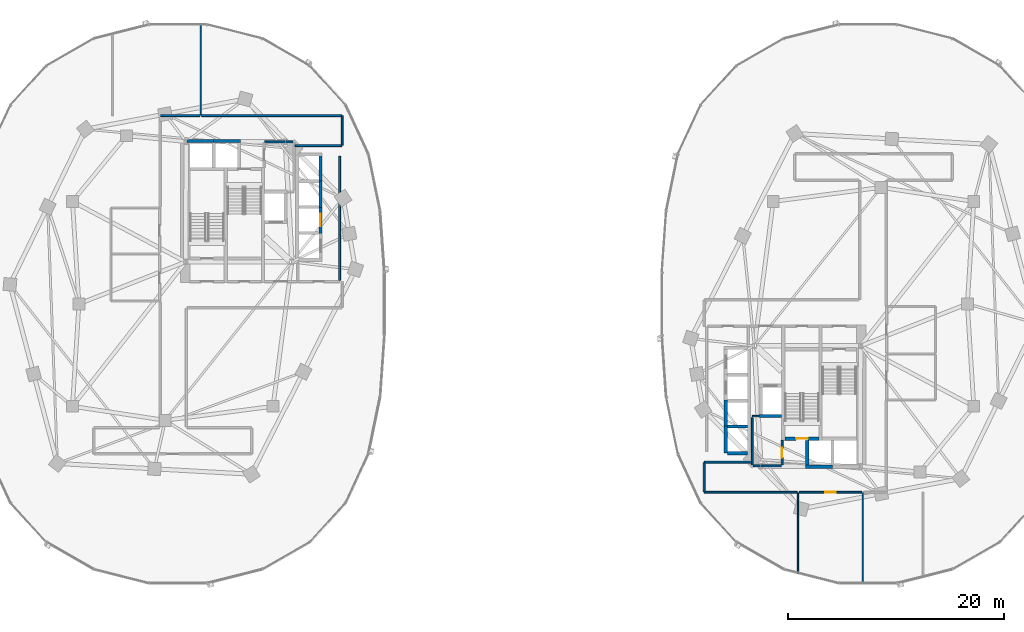
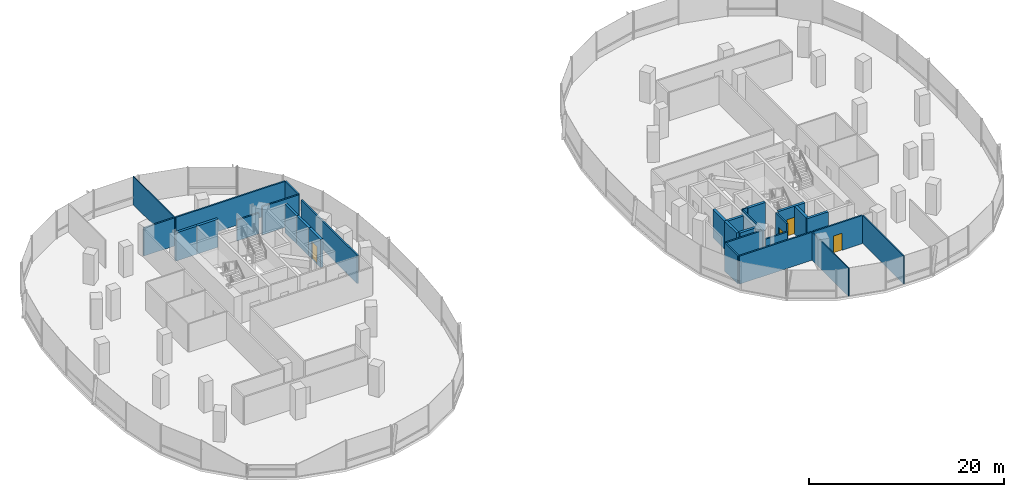
# One storey, part 12 of 21: 30 walls, 4 doors, 4 openings.
"""IFC4 building model written with IfcOpenShell, lengths in metres."""

from ifc_helpers import new_model, si_unit, direction, frame, frame_2d, origin, place, context, subcontext, project, spatial, rectangle, extrude, material, layer, layer_set, type_object, element, fill, save


model = new_model("IFC4")

# Units and contexts
model_context = context("Model", 3, precision=1e-05, world=origin(), true_north=direction((0.0, 1.0)))
body_context = subcontext(model_context, "Body", "Model", "MODEL_VIEW")
ifc_project = project(units=[si_unit("LENGTHUNIT", "METRE"), si_unit("AREAUNIT", "SQUARE_METRE"), si_unit("VOLUMEUNIT", "CUBIC_METRE"), si_unit("PLANEANGLEUNIT", "RADIAN"), si_unit("MASSUNIT", "GRAM", prefix="KILO"), si_unit("THERMODYNAMICTEMPERATUREUNIT", "KELVIN"), si_unit("POWERUNIT", "WATT")], contexts=[model_context])

# Site, building, storey
site_placement = place(None, origin())
site = spatial("IfcSite", under=ifc_project, at=site_placement, CompositionType="ELEMENT")
building_placement = place(site_placement, origin())
building = spatial("IfcBuilding", under=site, at=building_placement, Name="Cundina Bronze Exchange", CompositionType="ELEMENT")
storey_placement = place(building_placement, frame((0.0, 0.0, 73.39990234375)))
storey = spatial("IfcBuildingStorey", under=building, at=storey_placement, Name="L18", CompositionType="ELEMENT", Elevation=73.39990234375)

# Walls
ifc_material_1 = material(Name="Gypsum Fireboard Partition EI120")
ifc_layer_1 = layer(ifc_material_1, 0.179931640625, Name="Gypsum Fireboard Partition EI120")
ifc_layer_set_1 = layer_set([ifc_layer_1], Name="Gypsum Fireboard Partition EI120")
wall_type_1 = type_object("IfcWallType", Name="WL-COR-180", PredefinedType="PARTITIONING", material=ifc_layer_set_1)
wall_1_placement = place(storey_placement, frame((-17.02001953125, 2.169921875, 0.0), z_axis=(0.0, 0.0, 1.0), x_axis=(0.0, 1.0, 0.0)))
element("IfcWall", 1, at=wall_1_placement, inside=storey, type_object=wall_type_1, Name="L18 Interior Partition 001", PredefinedType="PARTITIONING", context=body_context, shape_type="SweptSolid", body=[
    extrude(rectangle(XDim=11.510009765625, YDim=0.179931640625, at=frame_2d((5.7548828125, 0.0))), origin(), (0.0, 0.0, 1.0), 3.52001953125),
])
wall_2_placement = place(storey_placement, frame((-23.9599609375, 15.030029296875, 0.0), z_axis=(0.0, 0.0, 1.0), x_axis=(1.0, 0.0, 0.0)))
element("IfcWall", 2, at=wall_2_placement, inside=storey, type_object=wall_type_1, Name="L18 Interior Partition 005", PredefinedType="PARTITIONING", context=body_context, shape_type="SweptSolid", body=[
    extrude(rectangle(XDim=2.60986328125, YDim=0.179931640625, at=frame_2d((1.304931640625, 0.0))), origin(), (0.0, 0.0, 1.0), 2.593017578125),
])
wall_3_placement = place(storey_placement, frame((-16.821533203125, 17.469970703125, 0.0), z_axis=(0.0, 0.0, 1.0), x_axis=(-1.0, 0.0, 0.0)))
element("IfcWall", 3, at=wall_3_placement, inside=storey, type_object=wall_type_1, Name="L18 Interior Partition 019", PredefinedType="PARTITIONING", context=body_context, shape_type="SweptSolid", body=[
    extrude(rectangle(XDim=12.988525390625, YDim=0.179931640625, at=frame_2d((6.494140625, 0.0))), origin(), (0.0, 0.0, 1.0), 3.52001953125),
])
wall_4_placement = place(storey_placement, frame((-21.178466796875, 14.679931640625, 0.0), z_axis=(0.0, 0.0, 1.0), x_axis=(1.0, 0.0, 0.0)))
element("IfcWall", 4, at=wall_4_placement, inside=storey, type_object=wall_type_1, Name="L18 Interior Partition 025", PredefinedType="PARTITIONING", context=body_context, shape_type="SweptSolid", body=[
    extrude(rectangle(XDim=4.35693359375, YDim=0.179931640625, at=frame_2d((2.178466796875, 0.0))), origin(), (0.0, 0.0, 1.0), 3.52001953125),
])
wall_5_placement = place(storey_placement, frame((-29.989990234375, 17.469970703125, 0.0), z_axis=(0.0, 0.0, 1.0), x_axis=(-1.0, 0.0, 0.0)))
element("IfcWall", 5, at=wall_5_placement, inside=storey, type_object=wall_type_1, Name="L18 Interior Partition 026", PredefinedType="PARTITIONING", context=body_context, shape_type="SweptSolid", body=[
    extrude(rectangle(XDim=3.638427734375, YDim=0.179931640625, at=frame_2d((1.8193359375, 0.0))), origin(), (0.0, 0.0, 1.0), 3.52001953125),
])
wall_6_placement = place(storey_placement, frame((-16.780029296875, 14.721435546875, 0.0), z_axis=(0.0, 0.0, 1.0), x_axis=(0.0, 1.0, 0.0)))
element("IfcWall", 6, at=wall_6_placement, inside=storey, type_object=wall_type_1, Name="L18 Interior Partition 027", PredefinedType="PARTITIONING", context=body_context, shape_type="SweptSolid", body=[
    extrude(rectangle(XDim=2.70703125, YDim=0.179931640625, at=frame_2d((1.353515625, 0.0))), origin(), (0.0, 0.0, 1.0), 3.52001953125),
])
wall_7_placement = place(storey_placement, frame((21.25, -14.929931640625, 0.0), z_axis=(0.0, 0.0, 1.0), x_axis=(0.0, 1.0, 0.0)))
element("IfcWall", 7, at=wall_7_placement, inside=storey, type_object=wall_type_1, Name="L18 Interior Partition 034", PredefinedType="PARTITIONING", context=body_context, shape_type="SweptSolid", body=[
    extrude(rectangle(XDim=4.35986328125, YDim=0.179931640625, at=frame_2d((2.179931640625, 0.0))), origin(), (0.0, 0.0, 1.0), 3.52001953125),
])
wall_8_placement = place(storey_placement, frame((21.35009765625, -15.030029296875, 0.0), z_axis=(0.0, 0.0, 1.0), x_axis=(1.0, 0.0, 0.0)))
element("IfcWall", 8, at=wall_8_placement, inside=storey, type_object=wall_type_1, Name="L18 Interior Partition 035", PredefinedType="PARTITIONING", context=body_context, shape_type="SweptSolid", body=[
    extrude(rectangle(XDim=2.60986328125, YDim=0.179931640625, at=frame_2d((1.304931640625, 0.0))), origin(), (0.0, 0.0, 1.0), 2.593017578125),
])

# Wall, opening, door
wall_9_placement = place(storey_placement, frame((24.02001953125, -14.929931640625, 0.0), z_axis=(0.0, 0.0, 1.0), x_axis=(0.0, 1.0, 0.0)))
wall_9 = element("IfcWall", 9, at=wall_9_placement, inside=storey, type_object=wall_type_1, Name="L18 Interior Partition 037", PredefinedType="PARTITIONING", context=body_context, shape_type="SweptSolid", body=[
    extrude(rectangle(XDim=2.260009765625, YDim=0.179931640625, at=frame_2d((1.1298828125, 0.0))), origin(), (0.0, 0.0, 1.0), 3.52001953125),
])
opening_1_placement = place(wall_9_placement, frame((0.655029296875, 0.0, 0.0)))
opening_1 = element("IfcOpeningElement", 10, at=opening_1_placement, cuts=wall_9, Name="Opening DW-01", PredefinedType="OPENING", context=body_context, shape_type="SweptSolid", body=[
    extrude(rectangle(XDim=0.949951171875, YDim=2.10009765625, at=frame_2d((0.47509765625, 1.050048828125))), frame((0.0, 0.099853515625, 0.0), z_axis=(0.0, -1.0, 0.0), x_axis=(1.0, 0.0, 0.0)), (0.0, 0.0, 1.0), 0.199951171875),
])
ifc_material_2 = material(Name="Solid Andean Oak Timber Grade A", Category="wood")
door_type_1 = type_object("IfcDoorType", Name="DR-WC-950", OperationType="NOTDEFINED", PredefinedType="DOOR", material=ifc_material_2)
door_1_placement = place(opening_1_placement, origin())
door_1 = element("IfcDoor", 11, at=door_1_placement, inside=storey, type_object=door_type_1, Name="L18 Interior Door 037", OperationType="SINGLE_SWING_RIGHT", OverallHeight=2.10009765625, OverallWidth=0.949951171875, PredefinedType="DOOR", context=body_context, shape_type="SweptSolid", body=[
    extrude(rectangle(XDim=0.949951171875, YDim=2.10009765625, at=frame_2d((0.47509765625, 1.050048828125))), frame((0.0, 0.02490234375, 0.0), z_axis=(0.0, -1.0, 0.0), x_axis=(1.0, 0.0, 0.0)), (0.0, 0.0, 1.0), 0.050048828125),
])
fill(opening_1, door_1)

wall_10_placement = place(storey_placement, frame((25.590087890625, -17.469970703125, 0.0), z_axis=(0.0, 0.0, 1.0), x_axis=(1.0, 0.0, 0.0)))
wall_10 = element("IfcWall", 12, at=wall_10_placement, inside=storey, type_object=wall_type_1, Name="L18 Interior Partition 048", PredefinedType="PARTITIONING", context=body_context, shape_type="SweptSolid", body=[
    extrude(rectangle(XDim=5.81982421875, YDim=0.179931640625, at=frame_2d((2.909912109375, 0.0))), origin(), (0.0, 0.0, 1.0), 3.52001953125),
])
opening_2_placement = place(wall_10_placement, frame((2.409912109375, 0.0, 0.0)))
opening_2 = element("IfcOpeningElement", 13, at=opening_2_placement, cuts=wall_10, Name="Opening DO-01", PredefinedType="OPENING", context=body_context, shape_type="SweptSolid", body=[
    extrude(rectangle(XDim=1.0, YDim=2.14990234375, at=frame_2d((0.5, 1.074951171875))), frame((0.0, 0.099853515625, 0.0), z_axis=(0.0, -1.0, 0.0), x_axis=(1.0, 0.0, 0.0)), (0.0, 0.0, 1.0), 0.199951171875),
])
door_type_2 = type_object("IfcDoorType", Name="DR-OFF-1000", OperationType="NOTDEFINED", PredefinedType="DOOR", material=ifc_material_2)
door_2_placement = place(opening_2_placement, origin())
door_2 = element("IfcDoor", 14, at=door_2_placement, inside=storey, type_object=door_type_2, Name="L18 Interior Door 048", OperationType="SINGLE_SWING_RIGHT", OverallHeight=2.14990234375, OverallWidth=1.0, PredefinedType="DOOR", context=body_context, shape_type="SweptSolid", body=[
    extrude(rectangle(XDim=1.0, YDim=2.14990234375, at=frame_2d((0.5, 1.074951171875))), frame((0.0, 0.02490234375, 0.0), z_axis=(0.0, -1.0, 0.0), x_axis=(1.0, 0.0, 0.0)), (0.0, 0.0, 1.0), 0.050048828125),
])
fill(opening_2, door_2)

# Walls
wall_11_placement = place(storey_placement, frame((16.821533203125, -17.469970703125, 0.0), z_axis=(0.0, 0.0, 1.0), x_axis=(1.0, 0.0, 0.0)))
element("IfcWall", 15, at=wall_11_placement, inside=storey, type_object=wall_type_1, Name="L18 Interior Partition 053", PredefinedType="PARTITIONING", context=body_context, shape_type="SweptSolid", body=[
    extrude(rectangle(XDim=8.58837890625, YDim=0.179931640625, at=frame_2d((4.294189453125, 0.0))), origin(), (0.0, 0.0, 1.0), 3.52001953125),
])
wall_12_placement = place(storey_placement, frame((21.178466796875, -14.679931640625, 0.0), z_axis=(0.0, 0.0, 1.0), x_axis=(-1.0, 0.0, 0.0)))
element("IfcWall", 16, at=wall_12_placement, inside=storey, type_object=wall_type_1, Name="L18 Interior Partition 057", PredefinedType="PARTITIONING", context=body_context, shape_type="SweptSolid", body=[
    extrude(rectangle(XDim=4.35693359375, YDim=0.179931640625, at=frame_2d((2.178466796875, 0.0))), origin(), (0.0, 0.0, 1.0), 3.52001953125),
])
wall_13_placement = place(storey_placement, frame((16.780029296875, -14.721435546875, 0.0), z_axis=(0.0, 0.0, 1.0), x_axis=(0.0, -1.0, 0.0)))
element("IfcWall", 17, at=wall_13_placement, inside=storey, type_object=wall_type_1, Name="L18 Interior Partition 058", PredefinedType="PARTITIONING", context=body_context, shape_type="SweptSolid", body=[
    extrude(rectangle(XDim=2.70703125, YDim=0.179931640625, at=frame_2d((1.353515625, 0.0))), origin(), (0.0, 0.0, 1.0), 3.52001953125),
])
ifc_material_3 = material(Name="Gypsum Acoustic Partition EI60")
ifc_layer_2 = layer(ifc_material_3, 0.125, Name="Gypsum Acoustic Partition EI60")
ifc_layer_set_2 = layer_set([ifc_layer_2], Name="Gypsum Acoustic Partition EI60")
wall_type_2 = type_object("IfcWallType", Name="WL-OFF-125", PredefinedType="PARTITIONING", material=ifc_layer_set_2)
wall_14_placement = place(storey_placement, frame((-29.89990234375, 17.5, 0.0), z_axis=(0.0, 0.0, 1.0), x_axis=(0.0, 1.0, 0.0)))
element("IfcWall", 18, at=wall_14_placement, inside=storey, type_object=wall_type_2, Name="L18 Interior Partition 016", PredefinedType="PARTITIONING", context=body_context, shape_type="SweptSolid", body=[
    extrude(rectangle(XDim=8.485107421875, YDim=0.125, at=frame_2d((4.24267578125, 0.0))), origin(), (0.0, 0.0, 1.0), 3.52001953125),
])
wall_15_placement = place(storey_placement, frame((25.5, -25.02490234375, 0.0), z_axis=(0.0, 0.0, 1.0), x_axis=(0.0, 1.0, 0.0)))
element("IfcWall", 19, at=wall_15_placement, inside=storey, type_object=wall_type_2, Name="L18 Interior Partition 045", PredefinedType="PARTITIONING", context=body_context, shape_type="SweptSolid", body=[
    extrude(rectangle(XDim=7.52490234375, YDim=0.125, at=frame_2d((3.762451171875, 0.0))), origin(), (0.0, 0.0, 1.0), 3.52001953125),
])
wall_16_placement = place(storey_placement, frame((31.5, -25.985107421875, 0.0), z_axis=(0.0, 0.0, 1.0), x_axis=(0.0, 1.0, 0.0)))
element("IfcWall", 20, at=wall_16_placement, inside=storey, type_object=wall_type_2, Name="L18 Interior Partition 046", PredefinedType="PARTITIONING", context=body_context, shape_type="SweptSolid", body=[
    extrude(rectangle(XDim=8.485107421875, YDim=0.125, at=frame_2d((4.24267578125, 0.0))), origin(), (0.0, 0.0, 1.0), 3.52001953125),
])
ifc_material_4 = material(Name="Concrete C50/60", Category="concrete")
ifc_layer_3 = layer(ifc_material_4, 0.300048828125, Name="Concrete C50/60", Category="concrete")
ifc_layer_set_3 = layer_set([ifc_layer_3], Name="Concrete C50/60")
wall_type_3 = type_object("IfcWallType", Name="WL-SHFT-300", PredefinedType="SHEAR", material=ifc_layer_set_3)
for number, where, z_axis, x_axis, name in (
    (21, (-31.199951171875, 15.10009765625, 0.0), (0.0, 0.0, 1.0), (1.0, 0.0, 0.0), "L18 PH-W1 Hoistway Front Wall"),
    (22, (-28.699951171875, 15.10009765625, 0.0), (0.0, 0.0, 1.0), (1.0, 0.0, 0.0), "L18 PH-W2 Hoistway Front Wall"),
):
    element("IfcWall", number, at=place(storey_placement, frame(where, z_axis=z_axis, x_axis=x_axis)), inside=storey, type_object=wall_type_3, Name=name, PredefinedType="SHEAR", context=body_context, shape_type="SweptSolid", body=[
        extrude(rectangle(XDim=2.5, YDim=0.300048828125, at=frame_2d((1.25, 0.0))), origin(), (0.0, 0.0, 1.0), 3.52001953125),
    ])

# Wall, opening, door
wall_17_placement = place(storey_placement, frame((-18.800048828125, 6.530029296875, 0.0), z_axis=(0.0, 0.0, 1.0), x_axis=(0.0, 1.0, 0.0)))
wall_17 = element("IfcWall", 23, at=wall_17_placement, inside=storey, type_object=wall_type_3, Name="L18 PL-W1 Hoistway Front Wall", PredefinedType="SHEAR", context=body_context, shape_type="SweptSolid", body=[
    extrude(rectangle(XDim=2.489990234375, YDim=0.300048828125, at=frame_2d((1.2451171875, 0.0))), origin(), (0.0, 0.0, 1.0), 3.52001953125),
])
opening_3_placement = place(wall_17_placement, frame((0.669921875, 0.0, 0.0)))
opening_3 = element("IfcOpeningElement", 24, at=opening_3_placement, cuts=wall_17, Name="Opening LD-01", PredefinedType="OPENING", context=body_context, shape_type="SweptSolid", body=[
    extrude(rectangle(XDim=1.14990234375, YDim=2.199951171875, at=frame_2d((0.574951171875, 1.10009765625))), frame((0.0, 0.159912109375, 0.0), z_axis=(0.0, -1.0, 0.0), x_axis=(1.0, 0.0, 0.0)), (0.0, 0.0, 1.0), 0.320068359375),
])
ifc_material_5 = material(Name="Steel ASTM A36 Painted", Category="steel")
door_type_3 = type_object("IfcDoorType", Name="DR-LND-1150", OperationType="NOTDEFINED", PredefinedType="TRAPDOOR", material=ifc_material_5)
door_3_placement = place(opening_3_placement, origin())
door_3 = element("IfcDoor", 25, at=door_3_placement, inside=storey, type_object=door_type_3, Name="L18 PL-W1 Sliding Landing Door", OperationType="SLIDING_TO_LEFT", OverallHeight=2.199951171875, OverallWidth=1.14990234375, PredefinedType="TRAPDOOR", context=body_context, shape_type="SweptSolid", body=[
    extrude(rectangle(XDim=1.14990234375, YDim=2.199951171875, at=frame_2d((0.574951171875, 1.10009765625))), frame((0.0, 0.02490234375, 0.0), z_axis=(0.0, -1.0, 0.0), x_axis=(1.0, 0.0, 0.0)), (0.0, 0.0, 1.0), 0.050048828125),
])
fill(opening_3, door_3)

# Walls
for number, where, z_axis, x_axis, name in (
    (26, (-18.800048828125, 8.929931640625, 0.0), (0.0, 0.0, 1.0), (0.0, 1.0, 0.0), "L18 PM-W2 Hoistway Front Wall"),
    (27, (-18.800048828125, 11.330078125, 0.0), (0.0, 0.0, 1.0), (0.0, 1.0, 0.0), "L18 PM-W1 Hoistway Front Wall"),
):
    element("IfcWall", number, at=place(storey_placement, frame(where, z_axis=z_axis, x_axis=x_axis)), inside=storey, type_object=wall_type_3, Name=name, PredefinedType="SHEAR", context=body_context, shape_type="SweptSolid", body=[
        extrude(rectangle(XDim=2.489990234375, YDim=0.300048828125, at=frame_2d((1.2451171875, 0.0))), origin(), (0.0, 0.0, 1.0), 3.52001953125),
    ])

# Wall, opening, door
wall_18_placement = place(storey_placement, frame((24.280029296875, -12.5, 0.0), z_axis=(0.0, 0.0, 1.0), x_axis=(1.0, 0.0, 0.0)))
wall_18 = element("IfcWall", 28, at=wall_18_placement, inside=storey, type_object=wall_type_3, Name="L18 Stair E2 Landing Wall", PredefinedType="SHEAR", context=body_context, shape_type="SweptSolid", body=[
    extrude(rectangle(XDim=3.159912109375, YDim=0.300048828125, at=frame_2d((1.580078125, 0.0))), origin(), (0.0, 0.0, 1.0), 3.52001953125),
])
opening_4_placement = place(wall_18_placement, frame((1.030029296875, 0.0, 0.0)))
opening_4 = element("IfcOpeningElement", 29, at=opening_4_placement, cuts=wall_18, Name="Opening DS-01", PredefinedType="OPENING", context=body_context, shape_type="SweptSolid", body=[
    extrude(rectangle(XDim=1.10009765625, YDim=2.14990234375, at=frame_2d((0.550048828125, 1.074951171875))), frame((0.0, 0.159912109375, 0.0), z_axis=(0.0, -1.0, 0.0), x_axis=(1.0, 0.0, 0.0)), (0.0, 0.0, 1.0), 0.320068359375),
])
door_type_4 = type_object("IfcDoorType", Name="DR-STR-1100", OperationType="NOTDEFINED", PredefinedType="DOOR", material=ifc_material_5)
door_4_placement = place(opening_4_placement, origin())
door_4 = element("IfcDoor", 30, at=door_4_placement, inside=storey, type_object=door_type_4, Name="L18 Smokeproof Stair E2 Door", OperationType="SINGLE_SWING_RIGHT", OverallHeight=2.14990234375, OverallWidth=1.10009765625, PredefinedType="DOOR", context=body_context, shape_type="SweptSolid", body=[
    extrude(rectangle(XDim=1.10009765625, YDim=2.14990234375, at=frame_2d((0.550048828125, 1.074951171875))), frame((0.0, 0.02490234375, 0.0), z_axis=(0.0, -1.0, 0.0), x_axis=(1.0, 0.0, 0.0)), (0.0, 0.0, 1.0), 0.050048828125),
])
fill(opening_4, door_4)

# Walls
wall_19_placement = place(storey_placement, frame((21.8798828125, -10.39990234375, 0.0), z_axis=(0.0, 0.0, 1.0), x_axis=(1.0, 0.0, 0.0)))
element("IfcWall", 31, at=wall_19_placement, inside=storey, type_object=wall_type_3, Name="L18 FFL-E Hoistway Back Wall", PredefinedType="SHEAR", context=body_context, shape_type="SweptSolid", body=[
    extrude(rectangle(XDim=2.10009765625, YDim=0.300048828125, at=frame_2d((1.050048828125, 0.0))), origin(), (0.0, 0.0, 1.0), 3.52001953125),
])
wall_20_placement = place(storey_placement, frame((26.199951171875, -15.10009765625, 0.0), z_axis=(0.0, 0.0, 1.0), x_axis=(1.0, 0.0, 0.0)))
element("IfcWall", 32, at=wall_20_placement, inside=storey, type_object=wall_type_3, Name="L18 PH-E2 Hoistway Front Wall", PredefinedType="SHEAR", context=body_context, shape_type="SweptSolid", body=[
    extrude(rectangle(XDim=2.5, YDim=0.300048828125, at=frame_2d((1.25, 0.0))), origin(), (0.0, 0.0, 1.0), 3.52001953125),
])
wall_21_placement = place(storey_placement, frame((26.35009765625, -14.949951171875, 0.0), z_axis=(0.0, 0.0, 1.0), x_axis=(0.0, 1.0, 0.0)))
element("IfcWall", 33, at=wall_21_placement, inside=storey, type_object=wall_type_3, Name="L18 PH-E2 Hoistway Divider Wall", PredefinedType="SHEAR", context=body_context, shape_type="SweptSolid", body=[
    extrude(rectangle(XDim=2.300048828125, YDim=0.300048828125, at=frame_2d((1.14990234375, 0.0))), origin(), (0.0, 0.0, 1.0), 3.52001953125),
])
for number, where, z_axis, x_axis, name in (
    (34, (18.949951171875, -13.85009765625, 0.0), (0.0, 0.0, 1.0), (1.0, 0.0, 0.0), "L18 E Passenger Bank South Cap Wall"),
    (35, (18.949951171875, -11.375, 0.0), (0.0, 0.0, 1.0), (1.0, 0.0, 0.0), "L18 E Passenger Hoistway Divider 1"),
):
    element("IfcWall", number, at=place(storey_placement, frame(where, z_axis=z_axis, x_axis=x_axis)), inside=storey, type_object=wall_type_3, Name=name, PredefinedType="SHEAR", context=body_context, shape_type="SweptSolid", body=[
        extrude(rectangle(XDim=1.85009765625, YDim=0.300048828125, at=frame_2d((0.925048828125, 0.0))), origin(), (0.0, 0.0, 1.0), 3.52001953125),
    ])
for number, where, z_axis, x_axis, name in (
    (36, (18.800048828125, -13.820068359375, 0.0), (0.0, 0.0, 1.0), (0.0, 1.0, 0.0), "L18 PM-E1 Hoistway Front Wall"),
    (37, (18.800048828125, -11.419921875, 0.0), (0.0, 0.0, 1.0), (0.0, 1.0, 0.0), "L18 PM-E2 Hoistway Front Wall"),
):
    element("IfcWall", number, at=place(storey_placement, frame(where, z_axis=z_axis, x_axis=x_axis)), inside=storey, type_object=wall_type_3, Name=name, PredefinedType="SHEAR", context=body_context, shape_type="SweptSolid", body=[
        extrude(rectangle(XDim=2.489990234375, YDim=0.300048828125, at=frame_2d((1.2451171875, 0.0))), origin(), (0.0, 0.0, 1.0), 3.52001953125),
    ])
ifc_material_6 = material(Name="Moisture-Resistant Masonry Block Grade M15", Category="masonry")
ifc_layer_4 = layer(ifc_material_6, 0.139892578125, Name="Moisture-Resistant Masonry Block Grade M15", Category="masonry")
ifc_layer_set_4 = layer_set([ifc_layer_4], Name="Moisture-Resistant Masonry Block Grade M15")
wall_type_4 = type_object("IfcWallType", Name="WL-WET-140", PredefinedType="PARTITIONING", material=ifc_layer_set_4)
wall_22_placement = place(storey_placement, frame((21.27001953125, -10.39990234375, 0.0), z_axis=(0.0, 0.0, 1.0), x_axis=(1.0, 0.0, 0.0)))
element("IfcWall", 38, at=wall_22_placement, inside=storey, type_object=wall_type_4, Name="L18 Interior Partition 033", PredefinedType="PARTITIONING", context=body_context, shape_type="SweptSolid", body=[
    extrude(rectangle(XDim=0.590087890625, YDim=0.139892578125, at=frame_2d((0.294921875, 0.0))), origin(), (0.0, 0.0, 1.0), 3.52001953125),
])

save(model, "model.ifc")
